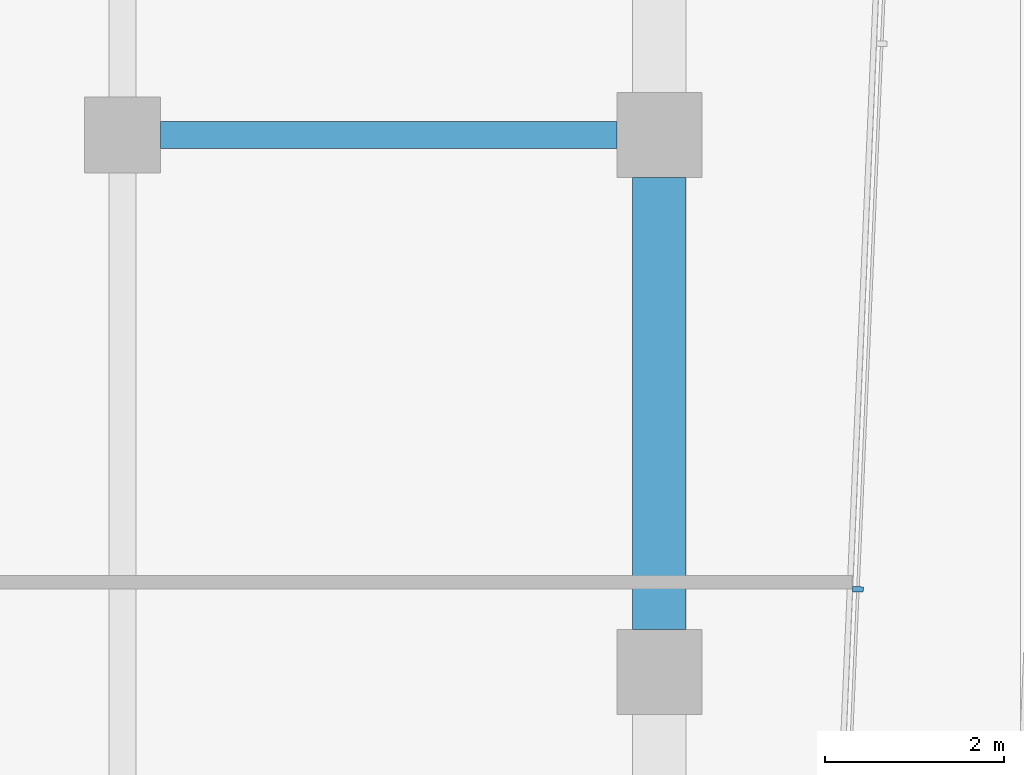
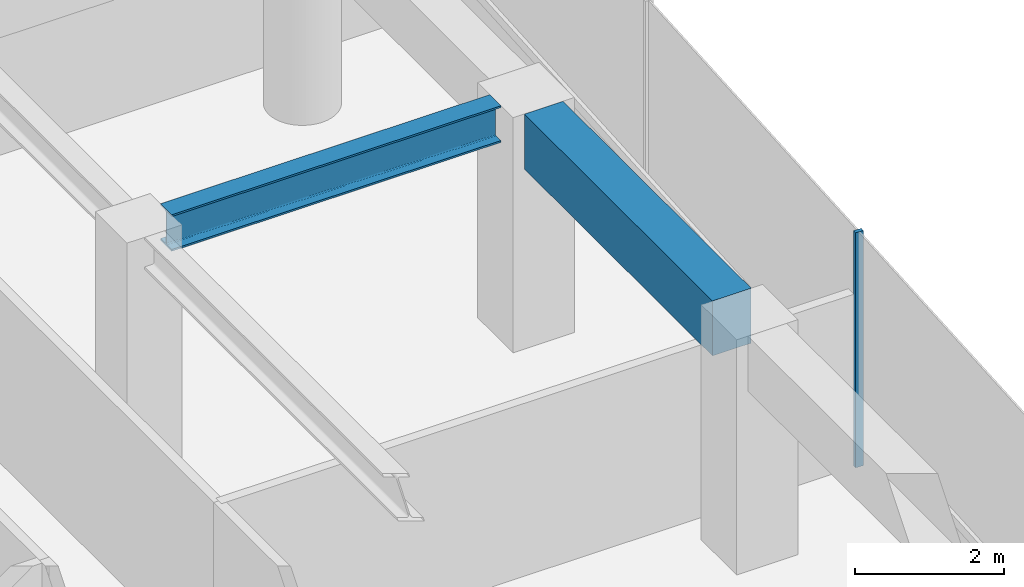
# One storey, part 19 of 29: 2 beams, 1 member, 1 element without a shape of its own.
"""IFC4 building model written with IfcOpenShell, lengths in metres."""

from ifc_helpers import new_model, si_unit, direction, frame, origin, origin_2d, place, context, subcontext, project, spatial, rectangle, i_section, extrude, material, layer, layer_set, material_profile, profile_set, type_object, element, aggregate, save


model = new_model("IFC4")

# Units and contexts
model_context = context("Model", 3, precision=1e-05, world=origin(), true_north=direction((0.0, 1.0)))
body_context = subcontext(model_context, "Body", "Model", "MODEL_VIEW")
ifc_project = project(units=[si_unit("LENGTHUNIT", "METRE"), si_unit("AREAUNIT", "SQUARE_METRE"), si_unit("VOLUMEUNIT", "CUBIC_METRE"), si_unit("PLANEANGLEUNIT", "RADIAN"), si_unit("MASSUNIT", "GRAM", prefix="KILO")], contexts=[model_context])

# Site, building, storey
site_placement = place(None, origin())
site = spatial("IfcSite", under=ifc_project, at=site_placement, CompositionType="ELEMENT")
building_placement = place(site_placement, origin())
building = spatial("IfcBuilding", under=site, at=building_placement, Name="Welwitschia Terrace Campus", CompositionType="ELEMENT")
storey_placement = place(building_placement, frame((0.0, 0.0, 41.60009765625)))
storey = spatial("IfcBuildingStorey", under=building, at=storey_placement, Name="L09", CompositionType="ELEMENT", Elevation=41.60009765625)

# Curtain wall, member
ifc_material_1 = material(Name="Bronze anodised aluminium", Category="aluminium")
ifc_layer = layer(ifc_material_1, 0.1201171875)
ifc_layer_set = layer_set([ifc_layer], Name="Bronze anodised aluminium")
curtain_wall_type = type_object("IfcCurtainWallType", Name="Curtain wall CW2 tower 6000", PredefinedType="NOTDEFINED", material=ifc_layer_set)
curtain_wall_placement = place(storey_placement, origin())
curtain_wall = element("IfcCurtainWall", 1, at=curtain_wall_placement, inside=storey, type_object=curtain_wall_type, Name="CW L09.11.0", PredefinedType="NOTDEFINED")
ifc_material_2 = material(Name="Bronze anodised aluminium", Category="aluminium")
ifc_material_profile_1 = material_profile(ifc_material_2, rectangle(XDim=0.1201171875, YDim=0.06005859375, at=origin_2d()))
ifc_profile_set_1 = profile_set([ifc_material_profile_1], Name="Bronze anodised aluminium")
member_type = type_object("IfcMemberType", Name="Mullion 60x120", PredefinedType="MULLION", material=ifc_profile_set_1)
member_placement = place(storey_placement, frame((26.218994140625, 50.922607421875, 0.0), z_axis=(0.0, 0.0, 1.0), x_axis=(-0.999048221582, 0.043619387365, 0.0)))
member = element("IfcMember", 2, at=member_placement, type_object=member_type, Name="Mullion L09.11.0.4", PredefinedType="MULLION", context=body_context, shape_type="SweptSolid", body=[
    extrude(rectangle(XDim=0.1201171875, YDim=0.06005859375, at=origin_2d()), origin(), (0.0, 0.0, 1.0), 3.849853515625),
])
aggregate(curtain_wall, [member])

# Beams
ifc_material_3 = material(Name="Steel S355", Category="steel")
ifc_material_profile_2 = material_profile(ifc_material_3, i_section(OverallWidth=0.300048828125, OverallDepth=0.60009765625, WebThickness=0.015380859375, FlangeThickness=0.030029296875, FilletRadius=0.027099609375, at=origin_2d()))
ifc_profile_set_2 = profile_set([ifc_material_profile_2], Name="Steel S355")
beam_type_1 = type_object("IfcBeamType", Name="Primary beam HE 600 B", PredefinedType="BEAM", material=ifc_profile_set_2)
beam_1_placement = place(storey_placement, frame((23.5244140625, 56.0, 3.5498046875), z_axis=(-1.0, 0.0, 0.0), x_axis=(0.0, -1.0, 0.0)))
element("IfcBeam", 3, at=beam_1_placement, inside=storey, type_object=beam_type_1, Name="Primary beam PB2", PredefinedType="BEAM", context=body_context, shape_type="SweptSolid", body=[
    extrude(i_section(OverallWidth=0.300048828125, OverallDepth=0.60009765625, WebThickness=0.015380859375, FlangeThickness=0.030029296875, FilletRadius=0.027099609375, at=origin_2d()), origin(), (0.0, 0.0, 1.0), 5.098876953125),
])
ifc_material_4 = material(Name="Concrete C60/75", Category="concrete")
ifc_material_profile_3 = material_profile(ifc_material_4, rectangle(XDim=0.60009765625, YDim=0.89990234375, at=origin_2d()))
ifc_profile_set_3 = profile_set([ifc_material_profile_3], Name="Concrete C60/75")
beam_type_2 = type_object("IfcBeamType", Name="Ring spandrel 600x900", PredefinedType="SPANDREL", material=ifc_profile_set_3)
beam_2_placement = place(storey_placement, frame((24.0, 50.4755859375, 3.39990234375), z_axis=(0.0, 1.0, 0.0), x_axis=(-1.0, 0.0, 0.0)))
element("IfcBeam", 4, at=beam_2_placement, inside=storey, type_object=beam_type_2, Name="Spandrel SP2", PredefinedType="SPANDREL", context=body_context, shape_type="SweptSolid", body=[
    extrude(rectangle(XDim=0.60009765625, YDim=0.89990234375, at=origin_2d()), origin(), (0.0, 0.0, 1.0), 5.048828125),
])

save(model, "model.ifc")
